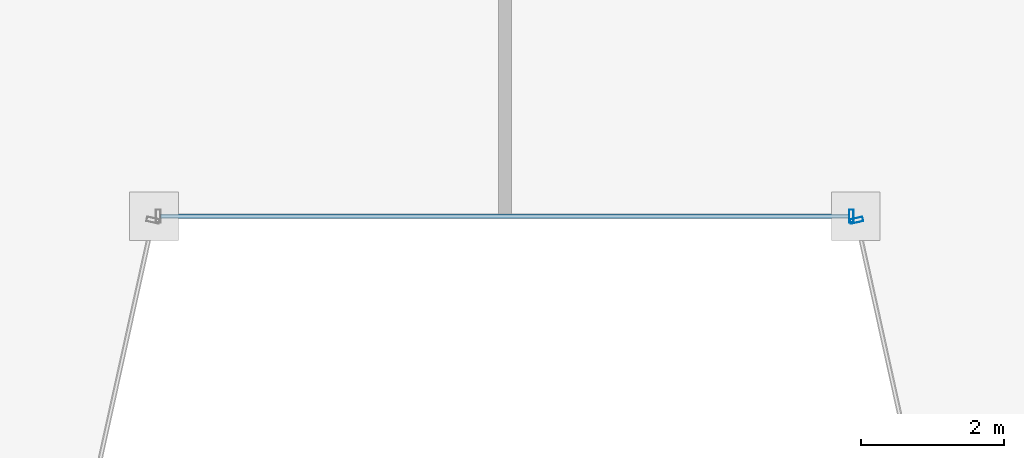
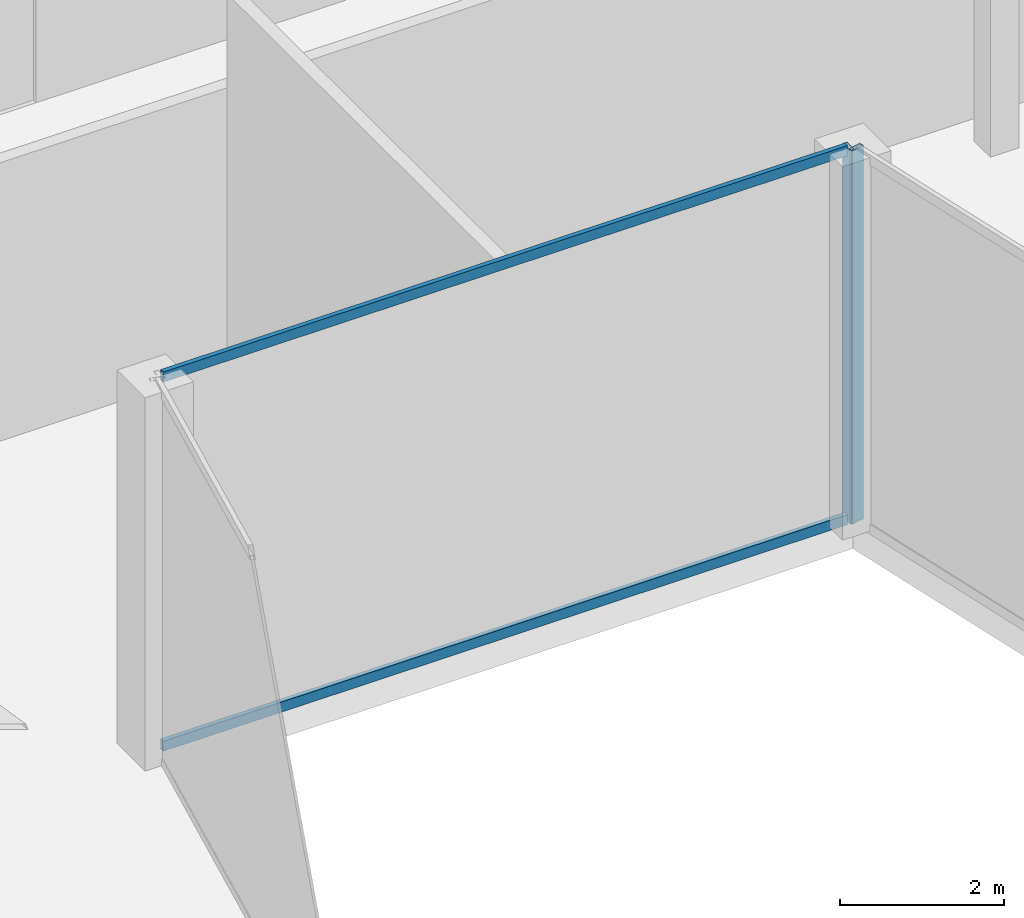
# One storey, part 9 of 34: 4 members, 2 elements without a shape of their own.
"""IFC4 building model written with IfcOpenShell, lengths in metres."""

from ifc_helpers import new_model, si_unit, direction, frame, origin, origin_2d, place, context, subcontext, project, spatial, hollow_rectangle, extrude, material, material_profile, profile_set, type_object, element, aggregate, save


model = new_model("IFC4")

# Units and contexts
model_context = context("Model", 3, precision=1e-05, world=origin(), true_north=direction((0.0, 1.0)))
body_context = subcontext(model_context, "Body", "Model", "MODEL_VIEW")
ifc_project = project(units=[si_unit("LENGTHUNIT", "METRE"), si_unit("AREAUNIT", "SQUARE_METRE"), si_unit("VOLUMEUNIT", "CUBIC_METRE"), si_unit("PLANEANGLEUNIT", "RADIAN"), si_unit("MASSUNIT", "GRAM", prefix="KILO")], contexts=[model_context])

# Site, building, storey
site_placement = place(None, origin())
site = spatial("IfcSite", under=ifc_project, at=site_placement, CompositionType="ELEMENT")
building_placement = place(site_placement, origin())
building = spatial("IfcBuilding", under=site, at=building_placement, Name="Saevonmaru Cultural Tower", CompositionType="ELEMENT")
storey_placement = place(building_placement, frame((0.0, 0.0, 224.60009765625)))
storey = spatial("IfcBuildingStorey", under=building, at=storey_placement, Name="L52", CompositionType="ELEMENT", Elevation=224.60009765625)

# Curtain wall, member
ifc_material = material(Name="Satin Bronze Anodised Aluminium", Category="aluminium")
curtain_wall_type = type_object("IfcCurtainWallType", Name="CW-TYP-B", PredefinedType="NOTDEFINED", material=ifc_material)
curtain_wall_1_placement = place(storey_placement, origin())
curtain_wall_1 = element("IfcCurtainWall", 1, at=curtain_wall_1_placement, inside=storey, type_object=curtain_wall_type, Name="L52 Wind-Floor Acoustic Louvre Screen E4", PredefinedType="NOTDEFINED")
ifc_material_profile_1 = material_profile(ifc_material, hollow_rectangle(XDim=0.06494140625, YDim=0.179931640625, WallThickness=0.00390625, at=origin_2d()), Name="ALU-MULL-180x65x4")
ifc_profile_set_1 = profile_set([ifc_material_profile_1], Name="Satin Bronze Anodised Aluminium")
member_type_1 = type_object("IfcMemberType", Name="ML-CW-180x65", PredefinedType="MULLION", material=ifc_profile_set_1)
member_1_placement = place(storey_placement, frame((34.84228515625, 26.0, 0.0), z_axis=(0.0, 0.0, 1.0), x_axis=(1.0, 0.0, 0.0)))
member_1 = element("IfcMember", 2, at=member_1_placement, type_object=member_type_1, Name="CW-TW-L52-E4 mullion 2", PredefinedType="MULLION", context=body_context, shape_type="SweptSolid", body=[
    extrude(hollow_rectangle(XDim=0.06494140625, YDim=0.179931640625, WallThickness=0.00390625, at=origin_2d()), origin(), (0.0, 0.0, 1.0), 5.5498046875),
])

curtain_wall_2_placement = place(storey_placement, origin())
curtain_wall_2 = element("IfcCurtainWall", 3, at=curtain_wall_2_placement, inside=storey, type_object=curtain_wall_type, Name="L52 Wind-Floor Acoustic Louvre Screen E5", PredefinedType="NOTDEFINED")
member_2_placement = place(storey_placement, frame((34.9150390625, 25.94140625, 0.0), z_axis=(0.0, 0.0, 1.0), x_axis=(0.215413319953, -0.976522965212, 0.0)))
member_2 = element("IfcMember", 4, at=member_2_placement, type_object=member_type_1, Name="CW-TW-L52-E5 mullion 1", PredefinedType="MULLION", context=body_context, shape_type="SweptSolid", body=[
    extrude(hollow_rectangle(XDim=0.06494140625, YDim=0.179931640625, WallThickness=0.00390625, at=origin_2d()), origin(), (0.0, 0.0, 1.0), 5.5498046875),
])
aggregate(curtain_wall_2, [member_2])

# Member
ifc_material_profile_2 = material_profile(ifc_material, hollow_rectangle(XDim=0.06494140625, YDim=0.14990234375, WallThickness=0.00390625, at=origin_2d()), Name="ALU-TRAN-150x65x4")
ifc_profile_set_2 = profile_set([ifc_material_profile_2], Name="Satin Bronze Anodised Aluminium")
member_type_2 = type_object("IfcMemberType", Name="TR-CW-150x65", PredefinedType="USERDEFINED", material=ifc_profile_set_2)
member_3_placement = place(storey_placement, frame((25.190185546875, 26.0, 0.032470703125), z_axis=(1.0, 0.0, 0.0), x_axis=(0.0, 1.0, 0.0)))
member_3 = element("IfcMember", 5, at=member_3_placement, type_object=member_type_2, Name="CW-TW-L52-E4 transom 1.1", ObjectType="TRANSOM", PredefinedType="USERDEFINED", context=body_context, shape_type="SweptSolid", body=[
    extrude(hollow_rectangle(XDim=0.06494140625, YDim=0.14990234375, WallThickness=0.00390625, at=origin_2d()), origin(), (0.0, 0.0, 1.0), 9.61962890625),
])

member_4_placement = place(storey_placement, frame((25.190185546875, 26.0, 5.517333984375), z_axis=(1.0, 0.0, 0.0), x_axis=(0.0, 1.0, 0.0)))
member_4 = element("IfcMember", 6, at=member_4_placement, type_object=member_type_2, Name="CW-TW-L52-E4 transom 1.2", ObjectType="TRANSOM", PredefinedType="USERDEFINED", context=body_context, shape_type="SweptSolid", body=[
    extrude(hollow_rectangle(XDim=0.06494140625, YDim=0.14990234375, WallThickness=0.00390625, at=origin_2d()), origin(), (0.0, 0.0, 1.0), 9.61962890625),
])

aggregate(curtain_wall_1, [member_1, member_3, member_4])

save(model, "model.ifc")
